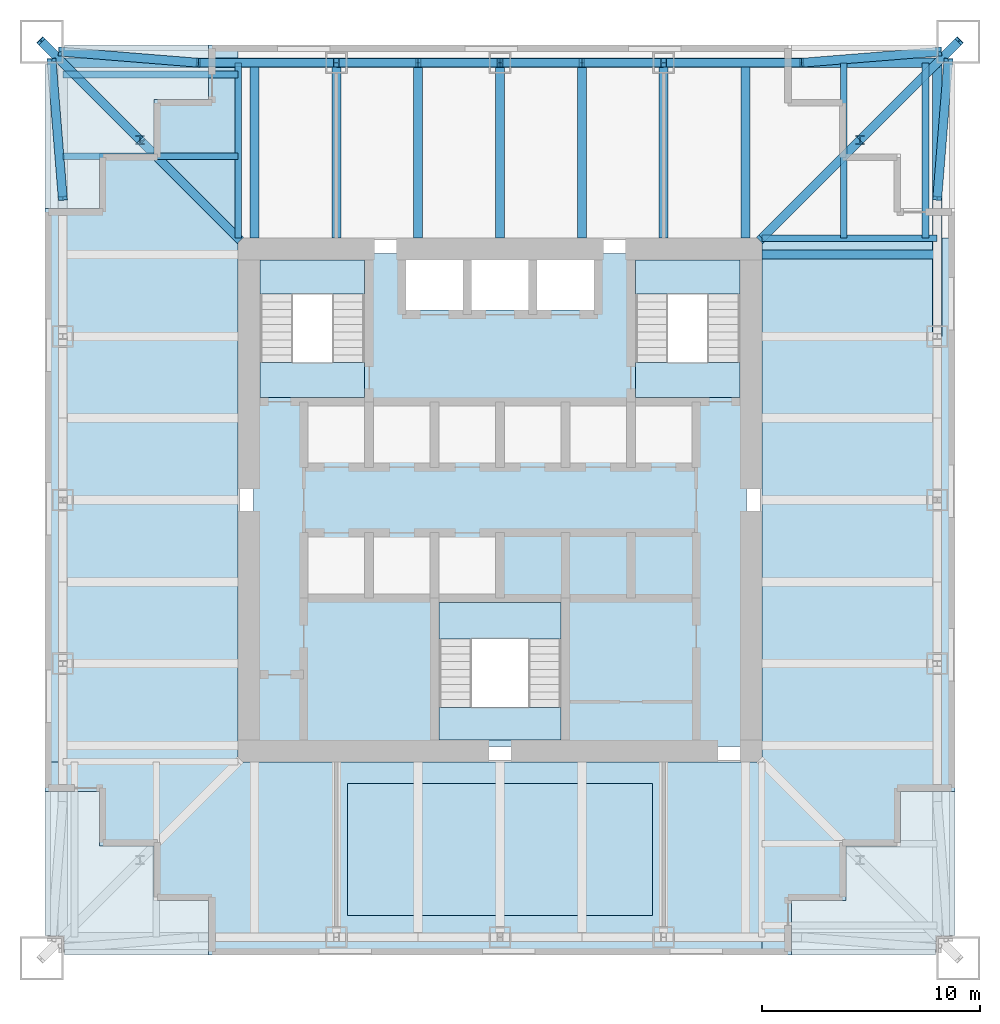
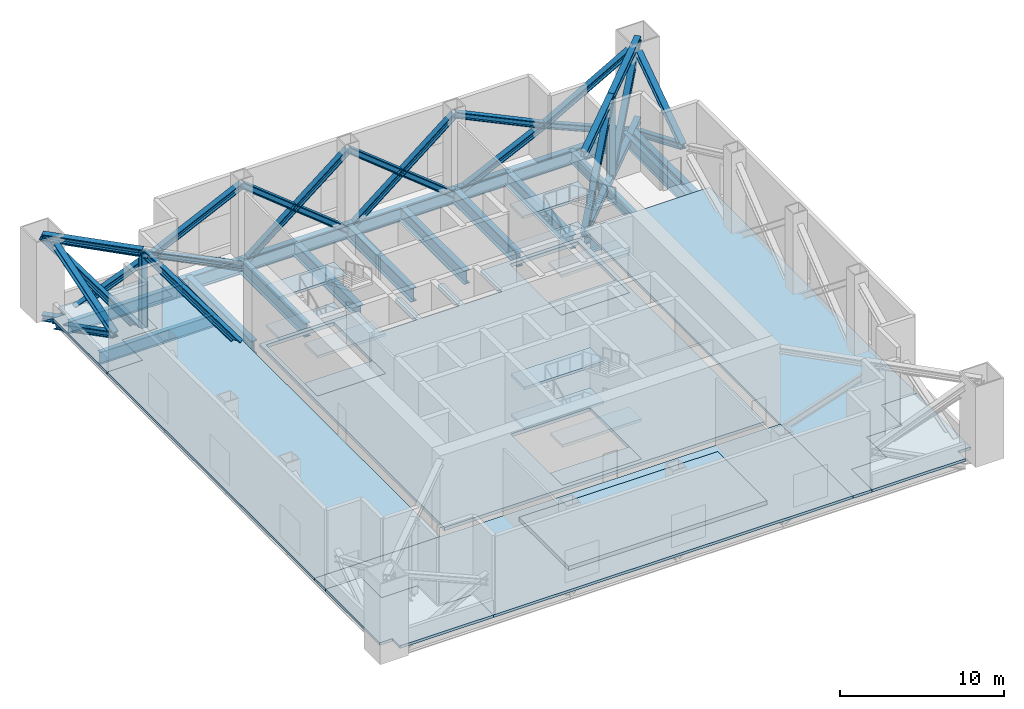
# One storey, part 2 of 7: 32 members, 20 slabs, 19 beams, 3 elements without a shape of their own.
"""IFC4 building model written with IfcOpenShell, lengths in metres."""

from ifc_helpers import new_model, si_unit, direction, frame, origin, origin_2d, place, context, subcontext, project, spatial, polyline, i_section, outline, extrude, material, layer, layer_set, material_profile, profile_set, type_object, element, aggregate, save


model = new_model("IFC4")

# Units and contexts
model_context = context("Model", 3, precision=1e-05, world=origin(), true_north=direction((0.0, 1.0)))
body_context = subcontext(model_context, "Body", "Model", "MODEL_VIEW")
ifc_project = project(units=[si_unit("LENGTHUNIT", "METRE"), si_unit("AREAUNIT", "SQUARE_METRE"), si_unit("VOLUMEUNIT", "CUBIC_METRE"), si_unit("PLANEANGLEUNIT", "RADIAN"), si_unit("MASSUNIT", "GRAM", prefix="KILO")], contexts=[model_context])

# Site, building, storey
site_placement = place(None, origin())
site = spatial("IfcSite", under=ifc_project, at=site_placement, CompositionType="ELEMENT")
building_placement = place(site_placement, origin())
building = spatial("IfcBuilding", under=site, at=building_placement, Name="Tarangal Relay Tower", CompositionType="ELEMENT")
storey_placement = place(building_placement, frame((0.0, 0.0, 335.89990234375)))
storey = spatial("IfcBuildingStorey", under=building, at=storey_placement, Name="L75", CompositionType="ELEMENT", Elevation=335.89990234375)

# Members
ifc_material_1 = material(Name="Steel ASTM A992", Category="steel")
ifc_material_profile_1 = material_profile(ifc_material_1, i_section(OverallWidth=0.408935546875, OverallDepth=0.42431640625, WebThickness=0.03271484375, FlangeThickness=0.052490234375, at=origin_2d()), Name="W14X283")
ifc_profile_set_1 = profile_set([ifc_material_profile_1], Name="Steel ASTM A992")
member_type_1 = type_object("IfcMemberType", Name="Belt truss brace W14X283", PredefinedType="BRACE", material=ifc_profile_set_1)
member_1_placement = place(storey_placement, frame((-20.14990234375, 20.550048828125, -0.734619140625), z_axis=(0.901129934321, -0.072662231551, 0.427416707181), x_axis=(0.08037370856, 0.996764800227, 0.0)))
element("IfcMember", 1, at=member_1_placement, inside=storey, type_object=member_type_1, Name="Belt truss BT4 N L75", PredefinedType="BRACE", context=body_context, shape_type="SweptSolid", body=[
    extrude(i_section(OverallWidth=0.408935546875, OverallDepth=0.42431640625, WebThickness=0.03271484375, FlangeThickness=0.052490234375, at=origin_2d()), origin(), (0.0, 0.0, 1.0), 7.018798828125),
])
for number, where, z_axis, x_axis, name in (
    (2, (-13.824951171875, 20.0400390625, 2.265380859375), (0.903518288884, 0.0, 0.42854953232), (0.0, 1.0, 0.0), "Belt truss BT4 N L75"),
    (3, (-7.5, 20.0400390625, -0.734619140625), (-0.903518288884, 0.0, 0.42854953232), (0.0, -1.0, 0.0), "Belt truss BT4 N L75"),
):
    element("IfcMember", number, at=place(storey_placement, frame(where, z_axis=z_axis, x_axis=x_axis)), inside=storey, type_object=member_type_1, Name=name, PredefinedType="BRACE", context=body_context, shape_type="SweptSolid", body=[
        extrude(i_section(OverallWidth=0.408935546875, OverallDepth=0.42431640625, WebThickness=0.03271484375, FlangeThickness=0.052490234375, at=origin_2d()), origin(), (0.0, 0.0, 1.0), 7.000244140625),
    ])
member_2_placement = place(storey_placement, frame((-13.824951171875, 20.0400390625, 2.265380859375), z_axis=(-0.901129934321, 0.072662231551, 0.427416707181), x_axis=(-0.08037370856, -0.996764800227, 0.0)))
element("IfcMember", 4, at=member_2_placement, inside=storey, type_object=member_type_1, Name="Belt truss BT4 N L75", PredefinedType="BRACE", context=body_context, shape_type="SweptSolid", body=[
    extrude(i_section(OverallWidth=0.408935546875, OverallDepth=0.42431640625, WebThickness=0.03271484375, FlangeThickness=0.052490234375, at=origin_2d()), origin(), (0.0, 0.0, 1.0), 7.018798828125),
])
for number, where, z_axis, x_axis, name in (
    (5, (-7.5, 20.0400390625, -0.734619140625), (0.780868809443, 0.0, 0.624695047554), (0.0, 1.0, 0.0), "Belt truss BT4 N L75"),
    (6, (-3.75, 20.0400390625, 2.265380859375), (0.780868809443, 0.0, 0.624695047554), (0.0, 1.0, 0.0), "Belt truss BT4 N L75"),
    (7, (0.0, 20.0400390625, -0.734619140625), (-0.780868809443, 0.0, 0.624695047554), (0.0, -1.0, 0.0), "Belt truss BT4 N L75"),
    (8, (-3.75, 20.0400390625, 2.265380859375), (-0.780868809443, 0.0, 0.624695047554), (0.0, -1.0, 0.0), "Belt truss BT4 N L75"),
    (9, (0.0, 20.0400390625, -0.734619140625), (0.780868809443, 0.0, 0.624695047554), (0.0, 1.0, 0.0), "Belt truss BT4 N L75"),
    (10, (3.75, 20.0400390625, 2.265380859375), (0.780868809443, 0.0, 0.624695047554), (0.0, 1.0, 0.0), "Belt truss BT4 N L75"),
    (11, (7.5, 20.0400390625, -0.734619140625), (-0.780868809443, 0.0, 0.624695047554), (0.0, -1.0, 0.0), "Belt truss BT4 N L75"),
    (12, (3.75, 20.0400390625, 2.265380859375), (-0.780868809443, 0.0, 0.624695047554), (0.0, -1.0, 0.0), "Belt truss BT4 N L75"),
):
    element("IfcMember", number, at=place(storey_placement, frame(where, z_axis=z_axis, x_axis=x_axis)), inside=storey, type_object=member_type_1, Name=name, PredefinedType="BRACE", context=body_context, shape_type="SweptSolid", body=[
        extrude(i_section(OverallWidth=0.408935546875, OverallDepth=0.42431640625, WebThickness=0.03271484375, FlangeThickness=0.052490234375, at=origin_2d()), origin(), (0.0, 0.0, 1.0), 4.80224609375),
    ])
member_3_placement = place(storey_placement, frame((7.5, 20.0400390625, -0.734619140625), z_axis=(0.903518288884, 0.0, 0.42854953232), x_axis=(0.0, 1.0, 0.0)))
element("IfcMember", 13, at=member_3_placement, inside=storey, type_object=member_type_1, Name="Belt truss BT4 N L75", PredefinedType="BRACE", context=body_context, shape_type="SweptSolid", body=[
    extrude(i_section(OverallWidth=0.408935546875, OverallDepth=0.42431640625, WebThickness=0.03271484375, FlangeThickness=0.052490234375, at=origin_2d()), origin(), (0.0, 0.0, 1.0), 7.000244140625),
])
for number, where, z_axis, x_axis, name in (
    (14, (13.824951171875, 20.0400390625, 2.265380859375), (0.901129934321, 0.072662231551, 0.427416707181), (-0.08037370856, 0.996764800227, 0.0), "Belt truss BT4 N L75"),
    (15, (20.14990234375, 20.550048828125, -0.734619140625), (-0.901129934321, -0.072662231551, 0.427416707181), (0.08037370856, -0.996764800227, 0.0), "Belt truss BT4 N L75"),
):
    element("IfcMember", number, at=place(storey_placement, frame(where, z_axis=z_axis, x_axis=x_axis)), inside=storey, type_object=member_type_1, Name=name, PredefinedType="BRACE", context=body_context, shape_type="SweptSolid", body=[
        extrude(i_section(OverallWidth=0.408935546875, OverallDepth=0.42431640625, WebThickness=0.03271484375, FlangeThickness=0.052490234375, at=origin_2d()), origin(), (0.0, 0.0, 1.0), 7.018798828125),
    ])
member_4_placement = place(storey_placement, frame((13.824951171875, 20.0400390625, 2.265380859375), z_axis=(-0.903518288884, 0.0, 0.42854953232), x_axis=(0.0, -1.0, 0.0)))
element("IfcMember", 16, at=member_4_placement, inside=storey, type_object=member_type_1, Name="Belt truss BT4 N L75", PredefinedType="BRACE", context=body_context, shape_type="SweptSolid", body=[
    extrude(i_section(OverallWidth=0.408935546875, OverallDepth=0.42431640625, WebThickness=0.03271484375, FlangeThickness=0.052490234375, at=origin_2d()), origin(), (0.0, 0.0, 1.0), 7.000244140625),
])
for number, where, z_axis, x_axis, name in (
    (17, (20.550048828125, 20.14990234375, -0.734619140625), (-0.072662231551, -0.901129934321, 0.427416707181), (0.996764800227, -0.08037370856, 0.0), "Belt truss BT4 E L75"),
    (18, (20.0400390625, 13.824951171875, 2.265380859375), (0.072662231551, 0.901129934321, 0.427416707181), (-0.996764800227, 0.08037370856, 0.0), "Belt truss BT4 E L75"),
    (19, (-20.0400390625, 13.824951171875, 2.265380859375), (-0.072662231551, 0.901129934321, 0.427416707181), (-0.996764800227, -0.08037370856, 0.0), "Belt truss BT4 W L75"),
    (20, (-20.550048828125, 20.14990234375, -0.734619140625), (0.072662231551, -0.901129934321, 0.427416707181), (0.996764800227, 0.08037370856, 0.0), "Belt truss BT4 W L75"),
):
    element("IfcMember", number, at=place(storey_placement, frame(where, z_axis=z_axis, x_axis=x_axis)), inside=storey, type_object=member_type_1, Name=name, PredefinedType="BRACE", context=body_context, shape_type="SweptSolid", body=[
        extrude(i_section(OverallWidth=0.408935546875, OverallDepth=0.42431640625, WebThickness=0.03271484375, FlangeThickness=0.052490234375, at=origin_2d()), origin(), (0.0, 0.0, 1.0), 7.018798828125),
    ])

# Beams
ifc_material_profile_2 = material_profile(ifc_material_1, i_section(OverallWidth=0.3046875, OverallDepth=0.911865234375, WebThickness=0.015869140625, FlangeThickness=0.02392578125, at=origin_2d()), Name="W36X150")
ifc_profile_set_2 = profile_set([ifc_material_profile_2], Name="Steel ASTM A992")
beam_type_1 = type_object("IfcBeamType", Name="Corner beam W36X150", PredefinedType="JOIST", material=ifc_profile_set_2)
for number, where, z_axis, x_axis, name in (
    (21, (15.75, 12.0, -0.65576171875), (0.0, 1.0, 0.0), (-1.0, 0.0, 0.0), "Corner beam CB7 N L75"),
    (22, (19.5, 12.0, -0.65576171875), (0.0, 1.0, 0.0), (-1.0, 0.0, 0.0), "Corner beam CB7 N L75"),
    (23, (-12.0, 15.75, -0.65576171875), (-1.0, 0.0, 0.0), (0.0, -1.0, 0.0), "Corner beam CB7 W L75"),
    (24, (-12.0, 19.5, -0.65576171875), (-1.0, 0.0, 0.0), (0.0, -1.0, 0.0), "Corner beam CB7 W L75"),
):
    element("IfcBeam", number, at=place(storey_placement, frame(where, z_axis=z_axis, x_axis=x_axis)), inside=storey, type_object=beam_type_1, Name=name, PredefinedType="JOIST", context=body_context, shape_type="SweptSolid", body=[
        extrude(i_section(OverallWidth=0.3046875, OverallDepth=0.911865234375, WebThickness=0.015869140625, FlangeThickness=0.02392578125, at=origin_2d()), origin(), (0.0, 0.0, 1.0), 8.0400390625),
    ])
ifc_material_profile_3 = material_profile(ifc_material_1, i_section(OverallWidth=0.307373046875, OverallDepth=0.927001953125, WebThickness=0.019287109375, FlangeThickness=0.031982421875, at=origin_2d()), Name="W36X194")
ifc_profile_set_3 = profile_set([ifc_material_profile_3], Name="Steel ASTM A992")
beam_type_2 = type_object("IfcBeamType", Name="Corner girder W36X194", PredefinedType="BEAM", material=ifc_profile_set_3)
for number, where, z_axis, x_axis, name in (
    (25, (12.0, 12.0, -0.66357421875), (1.0, 0.0, 0.0), (0.0, 1.0, 0.0), "Corner girder CG6 N L75"),
    (26, (-12.0, 12.0, -0.66357421875), (0.0, 1.0, 0.0), (-1.0, 0.0, 0.0), "Corner girder CG6 W L75"),
):
    element("IfcBeam", number, at=place(storey_placement, frame(where, z_axis=z_axis, x_axis=x_axis)), inside=storey, type_object=beam_type_2, Name=name, PredefinedType="BEAM", context=body_context, shape_type="SweptSolid", body=[
        extrude(i_section(OverallWidth=0.307373046875, OverallDepth=0.927001953125, WebThickness=0.019287109375, FlangeThickness=0.031982421875, at=origin_2d()), origin(), (0.0, 0.0, 1.0), 8.0400390625),
    ])
ifc_material_profile_4 = material_profile(ifc_material_1, i_section(OverallWidth=0.41650390625, OverallDepth=1.0693359375, WebThickness=0.0390625, FlangeThickness=0.070068359375, at=origin_2d()), Name="W40X503")
ifc_profile_set_4 = profile_set([ifc_material_profile_4], Name="Steel ASTM A992")
beam_type_3 = type_object("IfcBeamType", Name="Edge girder W40X503", PredefinedType="SPANDREL", material=ifc_profile_set_4)
beam_placement = place(storey_placement, frame((-20.14990234375, 20.0400390625, -0.734619140625), z_axis=(1.0, 0.0, 0.0), x_axis=(0.0, 1.0, 0.0)))
element("IfcBeam", 27, at=beam_placement, inside=storey, type_object=beam_type_3, Name="Edge girder EG8 N L75", PredefinedType="SPANDREL", context=body_context, shape_type="SweptSolid", body=[
    extrude(i_section(OverallWidth=0.41650390625, OverallDepth=1.0693359375, WebThickness=0.0390625, FlangeThickness=0.070068359375, at=origin_2d()), origin(), (0.0, 0.0, 1.0), 12.64990234375),
])
for number, where, z_axis, x_axis, name in (
    (28, (-7.5, 20.0400390625, -0.734619140625), (1.0, 0.0, 0.0), (0.0, 1.0, 0.0), "Edge girder EG8 N L75"),
    (29, (0.0, 20.0400390625, -0.734619140625), (1.0, 0.0, 0.0), (0.0, 1.0, 0.0), "Edge girder EG8 N L75"),
):
    element("IfcBeam", number, at=place(storey_placement, frame(where, z_axis=z_axis, x_axis=x_axis)), inside=storey, type_object=beam_type_3, Name=name, PredefinedType="SPANDREL", context=body_context, shape_type="SweptSolid", body=[
        extrude(i_section(OverallWidth=0.41650390625, OverallDepth=1.0693359375, WebThickness=0.0390625, FlangeThickness=0.070068359375, at=origin_2d()), origin(), (0.0, 0.0, 1.0), 7.5),
    ])
for number, where, z_axis, x_axis, name in (
    (30, (7.5, 20.0400390625, -0.734619140625), (1.0, 0.0, 0.0), (0.0, 1.0, 0.0), "Edge girder EG8 N L75"),
    (31, (20.0400390625, 20.14990234375, -0.734619140625), (0.0, -1.0, 0.0), (1.0, 0.0, 0.0), "Edge girder EG8 E L75"),
):
    element("IfcBeam", number, at=place(storey_placement, frame(where, z_axis=z_axis, x_axis=x_axis)), inside=storey, type_object=beam_type_3, Name=name, PredefinedType="SPANDREL", context=body_context, shape_type="SweptSolid", body=[
        extrude(i_section(OverallWidth=0.41650390625, OverallDepth=1.0693359375, WebThickness=0.0390625, FlangeThickness=0.070068359375, at=origin_2d()), origin(), (0.0, 0.0, 1.0), 12.64990234375),
    ])
ifc_material_profile_5 = material_profile(ifc_material_1, i_section(OverallWidth=0.408935546875, OverallDepth=1.03125, WebThickness=0.029541015625, FlangeThickness=0.052001953125, at=origin_2d()), Name="W40X372")
ifc_profile_set_5 = profile_set([ifc_material_profile_5], Name="Steel ASTM A992")
beam_type_4 = type_object("IfcBeamType", Name="Floor beam W40X372", PredefinedType="BEAM", material=ifc_profile_set_5)
for number, where, z_axis, x_axis, name in (
    (32, (-11.25, 12.0, -0.715576171875), (0.0, 1.0, 0.0), (-1.0, 0.0, 0.0), "Floor beam RB14 N L75"),
    (33, (-7.5, 12.0, -0.715576171875), (0.0, 1.0, 0.0), (-1.0, 0.0, 0.0), "Floor beam RB14 N L75"),
    (34, (-3.75, 12.0, -0.715576171875), (0.0, 1.0, 0.0), (-1.0, 0.0, 0.0), "Floor beam RB14 N L75"),
    (35, (0.0, 12.0, -0.715576171875), (0.0, 1.0, 0.0), (-1.0, 0.0, 0.0), "Floor beam RB14 N L75"),
    (36, (3.75, 12.0, -0.715576171875), (0.0, 1.0, 0.0), (-1.0, 0.0, 0.0), "Floor beam RB14 N L75"),
    (37, (7.5, 12.0, -0.715576171875), (0.0, 1.0, 0.0), (-1.0, 0.0, 0.0), "Floor beam RB14 N L75"),
    (38, (11.25, 12.0, -0.715576171875), (0.0, 1.0, 0.0), (-1.0, 0.0, 0.0), "Floor beam RB14 N L75"),
    (39, (12.0, 11.25, -0.715576171875), (1.0, 0.0, 0.0), (0.0, 1.0, 0.0), "Floor beam RB14 E L75"),
):
    element("IfcBeam", number, at=place(storey_placement, frame(where, z_axis=z_axis, x_axis=x_axis)), inside=storey, type_object=beam_type_4, Name=name, PredefinedType="BEAM", context=body_context, shape_type="SweptSolid", body=[
        extrude(i_section(OverallWidth=0.408935546875, OverallDepth=1.03125, WebThickness=0.029541015625, FlangeThickness=0.052001953125, at=origin_2d()), origin(), (0.0, 0.0, 1.0), 8.0400390625),
    ])

# Members
ifc_material_profile_6 = material_profile(ifc_material_1, i_section(OverallWidth=0.419189453125, OverallDepth=0.45458984375, WebThickness=0.042236328125, FlangeThickness=0.067626953125, at=origin_2d()), Name="W14X370")
ifc_profile_set_6 = profile_set([ifc_material_profile_6], Name="Steel ASTM A992")
member_type_2 = type_object("IfcMemberType", Name="Outrigger chord W14X370", PredefinedType="CHORD", material=ifc_profile_set_6)
for number, where, z_axis, x_axis, name in (
    (40, (12.0, 12.0, -0.42724609375), (0.707106781187, 0.707106781187, 0.0), (-0.707106781187, 0.707106781187, 0.0), "Hat outrigger NE L75 bottom chord"),
    (41, (16.5, 16.5, -0.42724609375), (0.707106781187, 0.707106781187, 0.0), (-0.707106781187, 0.707106781187, 0.0), "Hat outrigger NE L75 bottom chord"),
    (42, (12.0, 12.0, 5.57275390625), (0.707106781187, 0.707106781187, 0.0), (-0.707106781187, 0.707106781187, 0.0), "Hat outrigger NE L75 top chord"),
    (43, (16.5, 16.5, 5.57275390625), (0.707106781187, 0.707106781187, 0.0), (-0.707106781187, 0.707106781187, 0.0), "Hat outrigger NE L75 top chord"),
    (44, (-16.5, 16.5, -0.42724609375), (-0.707106781187, 0.707106781187, 0.0), (-0.707106781187, -0.707106781187, 0.0), "Hat outrigger NW L75 bottom chord"),
    (45, (-16.5, 16.5, 5.57275390625), (-0.707106781187, 0.707106781187, 0.0), (-0.707106781187, -0.707106781187, 0.0), "Hat outrigger NW L75 top chord"),
):
    element("IfcMember", number, at=place(storey_placement, frame(where, z_axis=z_axis, x_axis=x_axis)), inside=storey, type_object=member_type_2, Name=name, PredefinedType="CHORD", context=body_context, shape_type="SweptSolid", body=[
        extrude(i_section(OverallWidth=0.419189453125, OverallDepth=0.45458984375, WebThickness=0.042236328125, FlangeThickness=0.067626953125, at=origin_2d()), origin(), (0.0, 0.0, 1.0), 6.364013671875),
    ])
ifc_material_profile_7 = material_profile(ifc_material_1, i_section(OverallWidth=0.41162109375, OverallDepth=0.434326171875, WebThickness=0.035888671875, FlangeThickness=0.057373046875, at=origin_2d()), Name="W14X311")
ifc_profile_set_7 = profile_set([ifc_material_profile_7], Name="Steel ASTM A992")
member_type_3 = type_object("IfcMemberType", Name="Outrigger web W14X311", PredefinedType="STRUT", material=ifc_profile_set_7)
member_5_placement = place(storey_placement, frame((16.5, 16.5, -0.42724609375), z_axis=(0.0, 0.0, 1.0), x_axis=(1.0, 0.0, 0.0)))
element("IfcMember", 46, at=member_5_placement, inside=storey, type_object=member_type_3, Name="Hat outrigger NE L75 vertical", PredefinedType="STRUT", context=body_context, shape_type="SweptSolid", body=[
    extrude(i_section(OverallWidth=0.41162109375, OverallDepth=0.434326171875, WebThickness=0.035888671875, FlangeThickness=0.057373046875, at=origin_2d()), origin(), (0.0, 0.0, 1.0), 6.0),
])
for number, where, z_axis, x_axis, name in (
    (47, (12.0, 12.0, -0.42724609375), (0.514495755428, 0.514495755428, 0.68599434057), (-0.707106781187, 0.707106781187, 0.0), "Hat outrigger NE L75 diagonal"),
    (48, (16.5, 16.5, -0.42724609375), (0.514495755428, 0.514495755428, 0.68599434057), (-0.707106781187, 0.707106781187, 0.0), "Hat outrigger NE L75 diagonal"),
):
    element("IfcMember", number, at=place(storey_placement, frame(where, z_axis=z_axis, x_axis=x_axis)), inside=storey, type_object=member_type_3, Name=name, PredefinedType="STRUT", context=body_context, shape_type="SweptSolid", body=[
        extrude(i_section(OverallWidth=0.41162109375, OverallDepth=0.434326171875, WebThickness=0.035888671875, FlangeThickness=0.057373046875, at=origin_2d()), origin(), (0.0, 0.0, 1.0), 8.746337890625),
    ])
member_6_placement = place(storey_placement, frame((-16.5, 16.5, -0.42724609375), z_axis=(0.0, 0.0, 1.0), x_axis=(1.0, 0.0, 0.0)))
element("IfcMember", 49, at=member_6_placement, inside=storey, type_object=member_type_3, Name="Hat outrigger NW L75 vertical", PredefinedType="STRUT", context=body_context, shape_type="SweptSolid", body=[
    extrude(i_section(OverallWidth=0.41162109375, OverallDepth=0.434326171875, WebThickness=0.035888671875, FlangeThickness=0.057373046875, at=origin_2d()), origin(), (0.0, 0.0, 1.0), 6.0),
])
for number, where, z_axis, x_axis, name in (
    (50, (-12.0, 12.0, -0.42724609375), (-0.514495755428, 0.514495755428, 0.68599434057), (-0.707106781187, -0.707106781187, 0.0), "Hat outrigger NW L75 diagonal"),
    (51, (-16.5, 16.5, -0.42724609375), (-0.514495755428, 0.514495755428, 0.68599434057), (-0.707106781187, -0.707106781187, 0.0), "Hat outrigger NW L75 diagonal"),
):
    element("IfcMember", number, at=place(storey_placement, frame(where, z_axis=z_axis, x_axis=x_axis)), inside=storey, type_object=member_type_3, Name=name, PredefinedType="STRUT", context=body_context, shape_type="SweptSolid", body=[
        extrude(i_section(OverallWidth=0.41162109375, OverallDepth=0.434326171875, WebThickness=0.035888671875, FlangeThickness=0.057373046875, at=origin_2d()), origin(), (0.0, 0.0, 1.0), 8.746337890625),
    ])

# Slabs
ifc_material_2 = material(Name="Concrete fc' 35 MPa", Category="concrete")
ifc_layer_1 = layer(ifc_material_2, 0.25)
ifc_layer_set_1 = layer_set([ifc_layer_1], Name="Core floor slab 250")
slab_type_1 = type_object("IfcSlabType", Name="Core floor slab 250", PredefinedType="FLOOR", material=ifc_layer_set_1)
slab_1_placement = place(storey_placement, frame((0.0, 0.0, -0.25)))
element("IfcSlab", 52, at=slab_1_placement, inside=storey, type_object=slab_type_1, Name="Core floor slab L75", PredefinedType="FLOOR", context=body_context, shape_type="SweptSolid", body=[
    extrude(outline(polyline([(11.300048828125, 11.300048828125), (11.300048828125, -11.300048828125), (-11.300048828125, -11.300048828125), (-11.300048828125, 11.300048828125), (-4.300048828125, 11.300048828125), (-4.300048828125, 8.699951171875), (-1.699951171875, 8.699951171875), (-1.699951171875, 11.300048828125), (-1.300048828125, 11.300048828125), (-1.300048828125, 8.699951171875), (1.300048828125, 8.699951171875), (1.300048828125, 11.300048828125), (1.699951171875, 11.300048828125), (1.699951171875, 8.699951171875), (4.300048828125, 8.699951171875), (4.300048828125, 11.300048828125), (11.300048828125, 11.300048828125)]), holes=[polyline([(-2.800048828125, -4.699951171875), (-2.800048828125, -11.0), (2.800048828125, -11.0), (2.800048828125, -4.699951171875), (-2.800048828125, -4.699951171875)]), polyline([(-6.199951171875, 11.0), (-11.0, 11.0), (-11.0, 4.699951171875), (-6.199951171875, 4.699951171875), (-6.199951171875, 11.0)]), polyline([(11.0, 11.0), (6.199951171875, 11.0), (6.199951171875, 4.699951171875), (11.0, 4.699951171875), (11.0, 11.0)])]), origin(), (0.0, 0.0, 1.0), 0.25),
])
ifc_layer_2 = layer(ifc_material_2, 0.199951171875)
ifc_layer_set_2 = layer_set([ifc_layer_2], Name="Floor slab 200")
slab_type_2 = type_object("IfcSlabType", Name="Floor slab 200", PredefinedType="FLOOR", material=ifc_layer_set_2)
slab_2_placement = place(storey_placement, frame((0.0, 0.0, -0.199951171875)))
element("IfcSlab", 53, at=slab_2_placement, inside=storey, type_object=slab_type_2, Name="Floor slab FS2 L75 east bay", PredefinedType="FLOOR", context=body_context, shape_type="SweptSolid", body=[
    extrude(outline(polyline([(20.85009765625, -13.35009765625), (18.35009765625, -13.35009765625), (18.35009765625, -15.85009765625), (15.85009765625, -15.85009765625), (15.85009765625, -18.35009765625), (13.35009765625, -18.35009765625), (13.35009765625, -20.85009765625), (12.0, -20.85009765625), (12.0, 12.0), (20.85009765625, 12.0), (20.85009765625, -13.35009765625)])), origin(), (0.0, 0.0, 1.0), 0.199951171875),
])
slab_3_placement = place(storey_placement, frame((0.0, 0.0, -0.199951171875)))
element("IfcSlab", 54, at=slab_3_placement, inside=storey, type_object=slab_type_2, Name="Floor slab FS2 L75 south bay", PredefinedType="FLOOR", context=body_context, shape_type="SweptSolid", body=[
    extrude(outline(polyline([(-13.35009765625, -20.85009765625), (-13.35009765625, -18.35009765625), (-15.85009765625, -18.35009765625), (-15.85009765625, -15.85009765625), (-18.35009765625, -15.85009765625), (-18.35009765625, -13.35009765625), (-20.85009765625, -13.35009765625), (-20.85009765625, -12.0), (12.0, -12.0), (12.0, -20.85009765625), (-13.35009765625, -20.85009765625)])), origin(), (0.0, 0.0, 1.0), 0.199951171875),
])
slab_4_placement = place(storey_placement, frame((0.0, 0.0, -0.199951171875)))
element("IfcSlab", 55, at=slab_4_placement, inside=storey, type_object=slab_type_2, Name="Floor slab FS2 L75 west bay", PredefinedType="FLOOR", context=body_context, shape_type="SweptSolid", body=[
    extrude(outline(polyline([(-12.0, 20.85009765625), (-12.0, -12.0), (-20.85009765625, -12.0), (-20.85009765625, 13.35009765625), (-18.35009765625, 13.35009765625), (-18.35009765625, 15.85009765625), (-15.85009765625, 15.85009765625), (-15.85009765625, 18.35009765625), (-13.35009765625, 18.35009765625), (-13.35009765625, 20.85009765625), (-12.0, 20.85009765625)])), origin(), (0.0, 0.0, 1.0), 0.199951171875),
])
ifc_layer_3 = layer(ifc_material_2, 0.199951171875)
ifc_layer_set_3 = layer_set([ifc_layer_3], Name="Ledge slab 200")
slab_type_3 = type_object("IfcSlabType", Name="Ledge slab 200", PredefinedType="FLOOR", material=ifc_layer_set_3)
slab_5_placement = place(storey_placement, frame((0.0, 0.0, -0.199951171875)))
element("IfcSlab", 56, at=slab_5_placement, inside=storey, type_object=slab_type_3, Name="Corner ledge SE L75", PredefinedType="FLOOR", context=body_context, shape_type="SweptSolid", body=[
    extrude(outline(polyline([(20.85009765625, -13.35009765625), (18.35009765625, -13.35009765625), (18.35009765625, -15.85009765625), (15.85009765625, -15.85009765625), (15.85009765625, -18.35009765625), (13.35009765625, -18.35009765625), (13.35009765625, -20.85009765625), (19.949951171875, -20.85009765625), (19.949951171875, -19.949951171875), (20.85009765625, -19.949951171875), (20.85009765625, -13.35009765625)])), origin(), (0.0, 0.0, 1.0), 0.199951171875),
])
slab_6_placement = place(storey_placement, frame((0.0, 0.0, -0.199951171875)))
element("IfcSlab", 57, at=slab_6_placement, inside=storey, type_object=slab_type_3, Name="Corner ledge SW L75", PredefinedType="FLOOR", context=body_context, shape_type="SweptSolid", body=[
    extrude(outline(polyline([(-13.35009765625, -20.85009765625), (-13.35009765625, -18.35009765625), (-15.85009765625, -18.35009765625), (-15.85009765625, -15.85009765625), (-18.35009765625, -15.85009765625), (-18.35009765625, -13.35009765625), (-20.85009765625, -13.35009765625), (-20.85009765625, -19.949951171875), (-19.949951171875, -19.949951171875), (-19.949951171875, -20.85009765625), (-13.35009765625, -20.85009765625)])), origin(), (0.0, 0.0, 1.0), 0.199951171875),
])
slab_7_placement = place(storey_placement, frame((0.0, 0.0, -0.199951171875)))
element("IfcSlab", 58, at=slab_7_placement, inside=storey, type_object=slab_type_3, Name="Corner ledge NW L75", PredefinedType="FLOOR", context=body_context, shape_type="SweptSolid", body=[
    extrude(outline(polyline([(-20.85009765625, 13.35009765625), (-18.35009765625, 13.35009765625), (-18.35009765625, 15.85009765625), (-15.85009765625, 15.85009765625), (-15.85009765625, 18.35009765625), (-13.35009765625, 18.35009765625), (-13.35009765625, 20.85009765625), (-19.949951171875, 20.85009765625), (-19.949951171875, 19.949951171875), (-20.85009765625, 19.949951171875), (-20.85009765625, 13.35009765625)])), origin(), (0.0, 0.0, 1.0), 0.199951171875),
])

# Stair, slabs
ifc_material_3 = material(Name="Steel ASTM A992 stair flight", Category="steel")
stair_type = type_object("IfcStairType", Name="Core stair 1500", PredefinedType="HALF_TURN_STAIR", material=ifc_material_3)
stair_1_placement = place(storey_placement, origin())
stair_1 = element("IfcStair", 59, at=stair_1_placement, inside=storey, type_object=stair_type, Name="Stair ST-A L75", PredefinedType="HALF_TURN_STAIR")
ifc_layer_4 = layer(ifc_material_2, 0.199951171875)
ifc_layer_set_4 = layer_set([ifc_layer_4], Name="Stair landing 200")
slab_type_4 = type_object("IfcSlabType", Name="Stair landing 200", PredefinedType="LANDING", material=ifc_layer_set_4)
slab_8_placement = place(storey_placement, frame((0.0, 0.0, -0.199951171875)))
slab_8 = element("IfcSlab", 60, at=slab_8_placement, type_object=slab_type_4, Name="ST-A landing 1", PredefinedType="LANDING", context=body_context, shape_type="SweptSolid", body=[
    extrude(outline(polyline([(-11.0, 4.699951171875), (-6.199951171875, 4.699951171875), (-6.199951171875, 6.300048828125), (-11.0, 6.300048828125), (-11.0, 4.699951171875)])), origin(), (0.0, 0.0, 1.0), 0.199951171875),
])
slab_9_placement = place(storey_placement, frame((0.0, 0.0, 1.300048828125)))
slab_9 = element("IfcSlab", 61, at=slab_9_placement, type_object=slab_type_4, Name="ST-A landing 2", PredefinedType="LANDING", context=body_context, shape_type="SweptSolid", body=[
    extrude(outline(polyline([(-11.0, 9.431884765625), (-6.199951171875, 9.431884765625), (-6.199951171875, 11.0), (-11.0, 11.0), (-11.0, 9.431884765625)])), origin(), (0.0, 0.0, 1.0), 0.199951171875),
])
slab_10_placement = place(storey_placement, frame((0.0, 0.0, 2.800048828125)))
slab_10 = element("IfcSlab", 62, at=slab_10_placement, type_object=slab_type_4, Name="ST-A landing 3", PredefinedType="LANDING", context=body_context, shape_type="SweptSolid", body=[
    extrude(outline(polyline([(-11.0, 4.699951171875), (-6.199951171875, 4.699951171875), (-6.199951171875, 6.300048828125), (-11.0, 6.300048828125), (-11.0, 4.699951171875)])), origin(), (0.0, 0.0, 1.0), 0.199951171875),
])
slab_11_placement = place(storey_placement, frame((0.0, 0.0, 4.300048828125)))
slab_11 = element("IfcSlab", 63, at=slab_11_placement, type_object=slab_type_4, Name="ST-A landing 4", PredefinedType="LANDING", context=body_context, shape_type="SweptSolid", body=[
    extrude(outline(polyline([(-11.0, 9.431884765625), (-6.199951171875, 9.431884765625), (-6.199951171875, 11.0), (-11.0, 11.0), (-11.0, 9.431884765625)])), origin(), (0.0, 0.0, 1.0), 0.199951171875),
])
aggregate(stair_1, [slab_8, slab_9, slab_10, slab_11])

stair_2_placement = place(storey_placement, origin())
stair_2 = element("IfcStair", 64, at=stair_2_placement, inside=storey, type_object=stair_type, Name="Stair ST-B L75", PredefinedType="HALF_TURN_STAIR")
slab_12_placement = place(storey_placement, frame((0.0, 0.0, -0.199951171875)))
slab_12 = element("IfcSlab", 65, at=slab_12_placement, type_object=slab_type_4, Name="ST-B landing 1", PredefinedType="LANDING", context=body_context, shape_type="SweptSolid", body=[
    extrude(outline(polyline([(6.199951171875, 4.699951171875), (11.0, 4.699951171875), (11.0, 6.300048828125), (6.199951171875, 6.300048828125), (6.199951171875, 4.699951171875)])), origin(), (0.0, 0.0, 1.0), 0.199951171875),
])
slab_13_placement = place(storey_placement, frame((0.0, 0.0, 1.300048828125)))
slab_13 = element("IfcSlab", 66, at=slab_13_placement, type_object=slab_type_4, Name="ST-B landing 2", PredefinedType="LANDING", context=body_context, shape_type="SweptSolid", body=[
    extrude(outline(polyline([(6.199951171875, 9.431884765625), (11.0, 9.431884765625), (11.0, 11.0), (6.199951171875, 11.0), (6.199951171875, 9.431884765625)])), origin(), (0.0, 0.0, 1.0), 0.199951171875),
])
slab_14_placement = place(storey_placement, frame((0.0, 0.0, 2.800048828125)))
slab_14 = element("IfcSlab", 67, at=slab_14_placement, type_object=slab_type_4, Name="ST-B landing 3", PredefinedType="LANDING", context=body_context, shape_type="SweptSolid", body=[
    extrude(outline(polyline([(6.199951171875, 4.699951171875), (11.0, 4.699951171875), (11.0, 6.300048828125), (6.199951171875, 6.300048828125), (6.199951171875, 4.699951171875)])), origin(), (0.0, 0.0, 1.0), 0.199951171875),
])
slab_15_placement = place(storey_placement, frame((0.0, 0.0, 4.300048828125)))
slab_15 = element("IfcSlab", 68, at=slab_15_placement, type_object=slab_type_4, Name="ST-B landing 4", PredefinedType="LANDING", context=body_context, shape_type="SweptSolid", body=[
    extrude(outline(polyline([(6.199951171875, 9.431884765625), (11.0, 9.431884765625), (11.0, 11.0), (6.199951171875, 11.0), (6.199951171875, 9.431884765625)])), origin(), (0.0, 0.0, 1.0), 0.199951171875),
])
aggregate(stair_2, [slab_12, slab_13, slab_14, slab_15])

stair_3_placement = place(storey_placement, origin())
stair_3 = element("IfcStair", 69, at=stair_3_placement, inside=storey, type_object=stair_type, Name="Stair ST-C L75", PredefinedType="HALF_TURN_STAIR")
slab_16_placement = place(storey_placement, frame((0.0, 0.0, -0.199951171875)))
slab_16 = element("IfcSlab", 70, at=slab_16_placement, type_object=slab_type_4, Name="ST-C landing 1", PredefinedType="LANDING", context=body_context, shape_type="SweptSolid", body=[
    extrude(outline(polyline([(-2.800048828125, -11.0), (2.800048828125, -11.0), (2.800048828125, -9.5), (-2.800048828125, -9.5), (-2.800048828125, -11.0)])), origin(), (0.0, 0.0, 1.0), 0.199951171875),
])
slab_17_placement = place(storey_placement, frame((0.0, 0.0, 1.300048828125)))
slab_17 = element("IfcSlab", 71, at=slab_17_placement, type_object=slab_type_4, Name="ST-C landing 2", PredefinedType="LANDING", context=body_context, shape_type="SweptSolid", body=[
    extrude(outline(polyline([(-2.800048828125, -6.367919921875), (2.800048828125, -6.367919921875), (2.800048828125, -4.699951171875), (-2.800048828125, -4.699951171875), (-2.800048828125, -6.367919921875)])), origin(), (0.0, 0.0, 1.0), 0.199951171875),
])
slab_18_placement = place(storey_placement, frame((0.0, 0.0, 2.800048828125)))
slab_18 = element("IfcSlab", 72, at=slab_18_placement, type_object=slab_type_4, Name="ST-C landing 3", PredefinedType="LANDING", context=body_context, shape_type="SweptSolid", body=[
    extrude(outline(polyline([(-2.800048828125, -11.0), (2.800048828125, -11.0), (2.800048828125, -9.5), (-2.800048828125, -9.5), (-2.800048828125, -11.0)])), origin(), (0.0, 0.0, 1.0), 0.199951171875),
])
slab_19_placement = place(storey_placement, frame((0.0, 0.0, 4.300048828125)))
slab_19 = element("IfcSlab", 73, at=slab_19_placement, type_object=slab_type_4, Name="ST-C landing 4", PredefinedType="LANDING", context=body_context, shape_type="SweptSolid", body=[
    extrude(outline(polyline([(-2.800048828125, -6.367919921875), (2.800048828125, -6.367919921875), (2.800048828125, -4.699951171875), (-2.800048828125, -4.699951171875), (-2.800048828125, -6.367919921875)])), origin(), (0.0, 0.0, 1.0), 0.199951171875),
])
aggregate(stair_3, [slab_16, slab_17, slab_18, slab_19])

# Slab
ifc_layer_5 = layer(ifc_material_2, 0.300048828125)
ifc_layer_set_5 = layer_set([ifc_layer_5], Name="Tank plinth 300")
slab_type_5 = type_object("IfcSlabType", Name="Tank plinth 300", PredefinedType="FLOOR", material=ifc_layer_set_5)
slab_20_placement = place(storey_placement, origin())
element("IfcSlab", 74, at=slab_20_placement, inside=storey, type_object=slab_type_5, Name="Water tank plinth TP1 L75", PredefinedType="FLOOR", context=body_context, shape_type="SweptSolid", body=[
    extrude(outline(polyline([(7.0, -13.0), (-7.0, -13.0), (-7.0, -19.0400390625), (7.0, -19.0400390625), (7.0, -13.0)])), origin(), (0.0, 0.0, 1.0), 0.300048828125),
])

save(model, "model.ifc")
